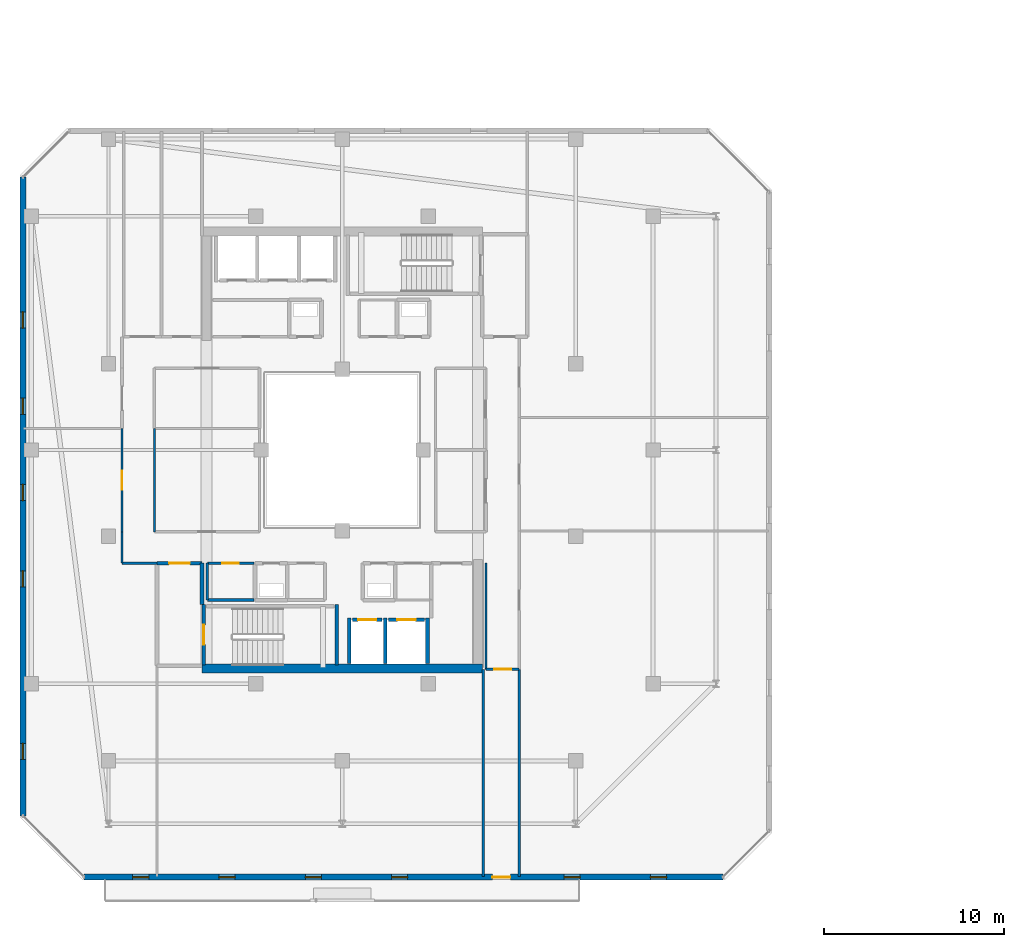
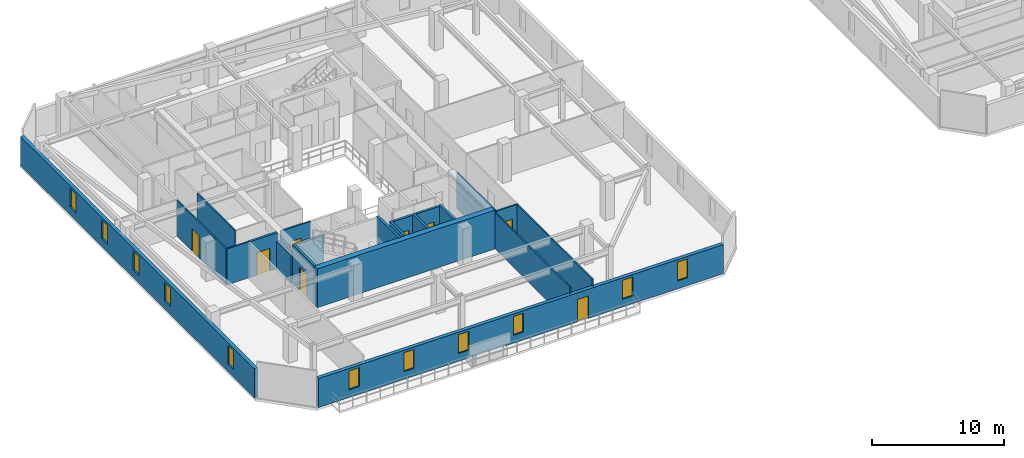
# One storey, part 21 of 35: 23 walls, 11 windows, 8 doors, 19 openings.
"""IFC4 building model written with IfcOpenShell, lengths in metres."""

from ifc_helpers import new_model, si_unit, direction, frame, frame_2d, origin, place, context, subcontext, project, spatial, rectangle, extrude, material, layer, layer_set, type_object, element, fill, save


model = new_model("IFC4")

# Units and contexts
model_context = context("Model", 3, precision=1e-05, world=origin(), true_north=direction((0.0, 1.0)))
body_context = subcontext(model_context, "Body", "Model", "MODEL_VIEW")
ifc_project = project(units=[si_unit("LENGTHUNIT", "METRE"), si_unit("AREAUNIT", "SQUARE_METRE"), si_unit("VOLUMEUNIT", "CUBIC_METRE"), si_unit("PLANEANGLEUNIT", "RADIAN"), si_unit("MASSUNIT", "GRAM", prefix="KILO")], contexts=[model_context])

# Site, building, storey
site_placement = place(None, origin())
site = spatial("IfcSite", under=ifc_project, at=site_placement, CompositionType="ELEMENT")
building_placement = place(site_placement, origin())
building = spatial("IfcBuilding", under=site, at=building_placement, Name="Thornwick Lancets Civic Towers", CompositionType="ELEMENT")
storey_placement = place(building_placement, frame((0.0, 0.0, 265.5)))
storey = spatial("IfcBuildingStorey", under=building, at=storey_placement, Name="L71", CompositionType="ELEMENT", Elevation=265.5)

# Wall, opening, door
ifc_material_1 = material(Name="Concrete blockwork C40/50", Category="masonry")
ifc_layer_1 = layer(ifc_material_1, 0.199951171875, Name="Concrete blockwork C40/50")
ifc_layer_set_1 = layer_set([ifc_layer_1], Name="Concrete blockwork C40/50")
wall_type_1 = type_object("IfcWallType", Name="WALL_COMP_200", PredefinedType="STANDARD", material=ifc_layer_set_1)
wall_1_placement = place(storey_placement, frame((26.080078125, 17.550048828125, 0.0), z_axis=(0.0, 0.0, 1.0), x_axis=(1.0, 0.0, 0.0)))
wall_1 = element("IfcWall", 1, at=wall_1_placement, inside=storey, type_object=wall_type_1, Name="L71 Hoistway Front Wall FL-A1", PredefinedType="STANDARD", context=body_context, shape_type="SweptSolid", body=[
    extrude(rectangle(XDim=1.639892578125, YDim=0.199951171875, at=frame_2d((0.81982421875, 0.0))), origin(), (0.0, 0.0, 1.0), 3.340087890625),
])
opening_1_placement = place(wall_1_placement, frame((0.31005859375, 0.0, 0.0)))
opening_1 = element("IfcOpeningElement", 2, at=opening_1_placement, cuts=wall_1, Name="Opening LD-FL-A1", PredefinedType="OPENING", context=body_context, shape_type="SweptSolid", body=[
    extrude(rectangle(XDim=1.02001953125, YDim=2.06005859375, at=frame_2d((0.510009765625, 1.030029296875))), frame((0.0, 0.10986328125, 0.0), z_axis=(0.0, -1.0, 0.0), x_axis=(1.0, 0.0, 0.0)), (0.0, 0.0, 1.0), 0.219970703125),
])
ifc_material_2 = material(Name="Brushed bronze stainless steel", Category="steel")
door_type_1 = type_object("IfcDoorType", Name="DOOR_LIFT_SLIDE", OperationType="SLIDING_TO_LEFT", PredefinedType="DOOR", material=ifc_material_2)
door_1_placement = place(opening_1_placement, origin())
door_1 = element("IfcDoor", 3, at=door_1_placement, inside=storey, type_object=door_type_1, Name="L71 Sliding Lift Landing Door LD-FL-A1", OperationType="SLIDING_TO_LEFT", OverallHeight=2.06005859375, OverallWidth=1.02001953125, PredefinedType="DOOR", context=body_context, shape_type="SweptSolid", body=[
    extrude(rectangle(XDim=1.02001953125, YDim=2.06005859375, at=frame_2d((0.510009765625, 1.030029296875))), frame((0.0, 0.02490234375, 0.0), z_axis=(0.0, -1.0, 0.0), x_axis=(1.0, 0.0, 0.0)), (0.0, 0.0, 1.0), 0.050048828125),
])
fill(opening_1, door_1)

wall_2_placement = place(storey_placement, frame((28.080078125, 17.550048828125, 0.0), z_axis=(0.0, 0.0, 1.0), x_axis=(1.0, 0.0, 0.0)))
wall_2 = element("IfcWall", 4, at=wall_2_placement, inside=storey, type_object=wall_type_1, Name="L71 Hoistway Front Wall PL-AH1", PredefinedType="STANDARD", context=body_context, shape_type="SweptSolid", body=[
    extrude(rectangle(XDim=1.989990234375, YDim=0.199951171875, at=frame_2d((0.9951171875, 0.0))), origin(), (0.0, 0.0, 1.0), 3.340087890625),
])
opening_2_placement = place(wall_2_placement, frame((0.485107421875, 0.0, 0.0)))
opening_2 = element("IfcOpeningElement", 5, at=opening_2_placement, cuts=wall_2, Name="Opening LD-PL-AH1", PredefinedType="OPENING", context=body_context, shape_type="SweptSolid", body=[
    extrude(rectangle(XDim=1.02001953125, YDim=2.06005859375, at=frame_2d((0.510009765625, 1.030029296875))), frame((0.0, 0.10986328125, 0.0), z_axis=(0.0, -1.0, 0.0), x_axis=(1.0, 0.0, 0.0)), (0.0, 0.0, 1.0), 0.219970703125),
])
door_2_placement = place(opening_2_placement, origin())
door_2 = element("IfcDoor", 6, at=door_2_placement, inside=storey, type_object=door_type_1, Name="L71 Sliding Lift Landing Door LD-PL-AH1", OperationType="SLIDING_TO_LEFT", OverallHeight=2.06005859375, OverallWidth=1.02001953125, PredefinedType="DOOR", context=body_context, shape_type="SweptSolid", body=[
    extrude(rectangle(XDim=1.02001953125, YDim=2.06005859375, at=frame_2d((0.510009765625, 1.030029296875))), frame((0.0, 0.02490234375, 0.0), z_axis=(0.0, -1.0, 0.0), x_axis=(1.0, 0.0, 0.0)), (0.0, 0.0, 1.0), 0.050048828125),
])
fill(opening_2, door_2)

# Walls
for number, where, z_axis, x_axis, name in (
    (7, (27.89990234375, 15.112060546875, 0.0), (0.0, 0.0, 1.0), (0.0, 1.0, 0.0), "L71 Hoistway Shaft Wall FL-A1 E"),
    (8, (25.89990234375, 15.112060546875, 0.0), (0.0, 0.0, 1.0), (0.0, 1.0, 0.0), "L71 Hoistway Shaft Wall FL-A1 W"),
    (9, (30.25, 15.112060546875, 0.0), (0.0, 0.0, 1.0), (0.0, 1.0, 0.0), "L71 Hoistway Shaft Wall PL-AH1 E"),
):
    element("IfcWall", number, at=place(storey_placement, frame(where, z_axis=z_axis, x_axis=x_axis)), inside=storey, type_object=wall_type_1, Name=name, PredefinedType="STANDARD", context=body_context, shape_type="SweptSolid", body=[
        extrude(rectangle(XDim=2.535888671875, YDim=0.199951171875, at=frame_2d((1.26806640625, 0.0))), origin(), (0.0, 0.0, 1.0), 3.340087890625),
    ])
wall_3_placement = place(storey_placement, frame((17.699951171875, 18.39990234375, 0.0), z_axis=(0.0, 0.0, 1.0), x_axis=(0.0, 1.0, 0.0)))
element("IfcWall", 10, at=wall_3_placement, inside=storey, type_object=wall_type_1, Name="L71 Partition L71-A-FFLOB1 E2", PredefinedType="STANDARD", context=body_context, shape_type="SweptSolid", body=[
    extrude(rectangle(XDim=2.300048828125, YDim=0.199951171875, at=frame_2d((1.14990234375, 0.0))), origin(), (0.0, 0.0, 1.0), 2.544921875),
])

# Wall, opening, door
wall_4_placement = place(storey_placement, frame((17.699951171875, 20.699951171875, 0.0), z_axis=(0.0, 0.0, 1.0), x_axis=(-1.0, 0.0, 0.0)))
wall_4 = element("IfcWall", 11, at=wall_4_placement, inside=storey, type_object=wall_type_1, Name="L71 Partition L71-A-FFLOB1 E3", PredefinedType="STANDARD", context=body_context, shape_type="SweptSolid", body=[
    extrude(rectangle(XDim=2.5, YDim=0.199951171875, at=frame_2d((1.25, 0.0))), origin(), (0.0, 0.0, 1.0), 3.340087890625),
])
opening_3_placement = place(wall_4_placement, frame((0.675048828125, 0.0, 0.0)))
opening_3 = element("IfcOpeningElement", 12, at=opening_3_placement, cuts=wall_4, Name="Opening D-L71-3225", PredefinedType="OPENING", context=body_context, shape_type="SweptSolid", body=[
    extrude(rectangle(XDim=1.14990234375, YDim=2.10009765625, at=frame_2d((0.574951171875, 1.050048828125))), frame((0.0, 0.10986328125, 0.0), z_axis=(0.0, -1.0, 0.0), x_axis=(1.0, 0.0, 0.0)), (0.0, 0.0, 1.0), 0.219970703125),
])
ifc_material_3 = material(Name="Glazed fire-resisting steel", Category="steel")
door_type_2 = type_object("IfcDoorType", Name="DOOR_LOBBY_FD60", OperationType="NOTDEFINED", PredefinedType="DOOR", material=ifc_material_3)
door_3_placement = place(opening_3_placement, origin())
door_3 = element("IfcDoor", 13, at=door_3_placement, inside=storey, type_object=door_type_2, Name="L71 South Firefighting Lobby 1 Door", OperationType="SINGLE_SWING_RIGHT", OverallHeight=2.10009765625, OverallWidth=1.14990234375, PredefinedType="DOOR", context=body_context, shape_type="SweptSolid", body=[
    extrude(rectangle(XDim=1.14990234375, YDim=2.10009765625, at=frame_2d((0.574951171875, 1.050048828125))), frame((0.0, 0.02490234375, 0.0), z_axis=(0.0, -1.0, 0.0), x_axis=(1.0, 0.0, 0.0)), (0.0, 0.0, 1.0), 0.050048828125),
])
fill(opening_3, door_3)

# Wall
ifc_material_4 = material(Name="Concrete C50/60", Category="concrete")
ifc_layer_2 = layer(ifc_material_4, 0.5, Name="Concrete C50/60")
ifc_layer_set_2 = layer_set([ifc_layer_2], Name="Concrete C50/60")
wall_type_2 = type_object("IfcWallType", Name="WALL_CORE_500", PredefinedType="SHEAR", material=ifc_layer_set_2)
wall_5_placement = place(storey_placement, frame((17.699951171875, 14.85009765625, 0.0), z_axis=(0.0, 0.0, 1.0), x_axis=(1.0, 0.0, 0.0)))
element("IfcWall", 14, at=wall_5_placement, inside=storey, type_object=wall_type_2, Name="L71 Split Core A1 Shear Wall S", PredefinedType="SHEAR", context=body_context, shape_type="SweptSolid", body=[
    extrude(rectangle(XDim=15.60009765625, YDim=0.5, at=frame_2d((7.800048828125, 0.0))), origin(), (0.0, 0.0, 1.0), 3.60009765625),
])

# Wall, openings, door, windows
ifc_material_5 = material(Name="Insulated buff terracotta rainscreen on concrete C40/50", Category="masonry")
ifc_layer_3 = layer(ifc_material_5, 0.320068359375, Name="Insulated buff terracotta rainscreen on concrete C40/50")
ifc_layer_set_3 = layer_set([ifc_layer_3], Name="Insulated buff terracotta rainscreen on concrete C40/50")
wall_type_3 = type_object("IfcWallType", Name="WALL_EXT_TERRA_320", PredefinedType="STANDARD", material=ifc_layer_set_3)
wall_6_placement = place(storey_placement, frame((11.146484375, 3.238037109375, 0.0), z_axis=(0.0, 0.0, 1.0), x_axis=(0.999999997144, -7.5574884e-05, 0.0)))
wall_6 = element("IfcWall", 15, at=wall_6_placement, inside=storey, type_object=wall_type_3, Name="L71 Tower A Terracotta Facade Wall E0", PredefinedType="STANDARD", context=body_context, shape_type="SweptSolid", body=[
    extrude(rectangle(XDim=35.534912109375, YDim=0.320068359375, at=frame_2d((17.767578125, 0.0))), origin(), (0.0, 0.0, 1.0), 2.699951171875),
])
opening_4_placement = place(wall_6_placement, frame((22.717529296875, 0.0, 0.0)))
opening_4 = element("IfcOpeningElement", 16, at=opening_4_placement, cuts=wall_6, Name="Opening D-BL-L71-AS", PredefinedType="OPENING", context=body_context, shape_type="SweptSolid", body=[
    extrude(rectangle(XDim=1.0, YDim=2.080078125, at=frame_2d((0.5, 1.0400390625))), frame((0.0, 0.169921875, 0.0), z_axis=(0.0, -1.0, 0.0), x_axis=(1.0, 0.0, 0.0)), (0.0, 0.0, 1.0), 0.340087890625),
])
opening_5_placement = place(wall_6_placement, frame((2.699951171875, 0.0, 0.719970703125)))
opening_5 = element("IfcOpeningElement", 17, at=opening_5_placement, cuts=wall_6, Name="Opening WL-01", PredefinedType="OPENING", context=body_context, shape_type="SweptSolid", body=[
    extrude(rectangle(XDim=0.89990234375, YDim=1.75, at=frame_2d((0.449951171875, 0.875))), frame((0.0, 0.169921875, 0.0), z_axis=(0.0, -1.0, 0.0), x_axis=(1.0, 0.0, 0.0)), (0.0, 0.0, 1.0), 0.340087890625),
])
opening_6_placement = place(wall_6_placement, frame((7.5, 0.0, 0.719970703125)))
opening_6 = element("IfcOpeningElement", 18, at=opening_6_placement, cuts=wall_6, Name="Opening WL-01", PredefinedType="OPENING", context=body_context, shape_type="SweptSolid", body=[
    extrude(rectangle(XDim=0.89990234375, YDim=1.75, at=frame_2d((0.449951171875, 0.875))), frame((0.0, 0.169921875, 0.0), z_axis=(0.0, -1.0, 0.0), x_axis=(1.0, 0.0, 0.0)), (0.0, 0.0, 1.0), 0.340087890625),
])
opening_7_placement = place(wall_6_placement, frame((12.300048828125, 0.0, 0.719970703125)))
opening_7 = element("IfcOpeningElement", 19, at=opening_7_placement, cuts=wall_6, Name="Opening WL-01", PredefinedType="OPENING", context=body_context, shape_type="SweptSolid", body=[
    extrude(rectangle(XDim=0.89990234375, YDim=1.75, at=frame_2d((0.449951171875, 0.875))), frame((0.0, 0.169921875, 0.0), z_axis=(0.0, -1.0, 0.0), x_axis=(1.0, 0.0, 0.0)), (0.0, 0.0, 1.0), 0.340087890625),
])
opening_8_placement = place(wall_6_placement, frame((17.10009765625, 0.0, 0.719970703125)))
opening_8 = element("IfcOpeningElement", 20, at=opening_8_placement, cuts=wall_6, Name="Opening WL-01", PredefinedType="OPENING", context=body_context, shape_type="SweptSolid", body=[
    extrude(rectangle(XDim=0.89990234375, YDim=1.75, at=frame_2d((0.449951171875, 0.875))), frame((0.0, 0.169921875, 0.0), z_axis=(0.0, -1.0, 0.0), x_axis=(1.0, 0.0, 0.0)), (0.0, 0.0, 1.0), 0.340087890625),
])
opening_9_placement = place(wall_6_placement, frame((26.699951171875, 0.0, 0.719970703125)))
opening_9 = element("IfcOpeningElement", 21, at=opening_9_placement, cuts=wall_6, Name="Opening WL-01", PredefinedType="OPENING", context=body_context, shape_type="SweptSolid", body=[
    extrude(rectangle(XDim=0.89990234375, YDim=1.75, at=frame_2d((0.449951171875, 0.875))), frame((0.0, 0.169921875, 0.0), z_axis=(0.0, -1.0, 0.0), x_axis=(1.0, 0.0, 0.0)), (0.0, 0.0, 1.0), 0.340087890625),
])
opening_10_placement = place(wall_6_placement, frame((31.5, 0.0, 0.719970703125)))
opening_10 = element("IfcOpeningElement", 22, at=opening_10_placement, cuts=wall_6, Name="Opening WL-01", PredefinedType="OPENING", context=body_context, shape_type="SweptSolid", body=[
    extrude(rectangle(XDim=0.89990234375, YDim=1.75, at=frame_2d((0.449951171875, 0.875))), frame((0.0, 0.169921875, 0.0), z_axis=(0.0, -1.0, 0.0), x_axis=(1.0, 0.0, 0.0)), (0.0, 0.0, 1.0), 0.340087890625),
])
ifc_material_6 = material(Name="Thermally broken glazed loggia doorset")
door_type_3 = type_object("IfcDoorType", Name="DOOR_BALC_1000", OperationType="NOTDEFINED", PredefinedType="DOOR", material=ifc_material_6)
door_4_placement = place(opening_4_placement, origin())
door_4 = element("IfcDoor", 23, at=door_4_placement, inside=storey, type_object=door_type_3, Name="L71 Tower A Loggia Balcony Door S", OperationType="SINGLE_SWING_RIGHT", OverallHeight=2.080078125, OverallWidth=1.0, PredefinedType="DOOR", context=body_context, shape_type="SweptSolid", body=[
    extrude(rectangle(XDim=1.0, YDim=2.080078125, at=frame_2d((0.5, 1.0400390625))), frame((0.0, 0.02490234375, 0.0), z_axis=(0.0, -1.0, 0.0), x_axis=(1.0, 0.0, 0.0)), (0.0, 0.0, 1.0), 0.050048828125),
])
fill(opening_4, door_4)
ifc_material_7 = material(Name="Clear low-e double glazing in bronze frame", Category="glass")
window_type = type_object("IfcWindowType", Name="WIN_LANCET_900", PartitioningType="SINGLE_PANEL", PredefinedType="WINDOW", material=ifc_material_7)
window_1_placement = place(opening_5_placement, origin())
window_1 = element("IfcWindow", 24, at=window_1_placement, inside=storey, type_object=window_type, Name="L71 Tower A Staggered Lancet Window E0-1", OverallHeight=1.75, OverallWidth=0.89990234375, PartitioningType="SINGLE_PANEL", PredefinedType="WINDOW", context=body_context, shape_type="SweptSolid", body=[
    extrude(rectangle(XDim=0.89990234375, YDim=1.75, at=frame_2d((0.449951171875, 0.875))), frame((0.0, 0.030029296875, 0.0), z_axis=(0.0, -1.0, 0.0), x_axis=(1.0, 0.0, 0.0)), (0.0, 0.0, 1.0), 0.06005859375),
])
fill(opening_5, window_1)
window_2_placement = place(opening_6_placement, origin())
window_2 = element("IfcWindow", 25, at=window_2_placement, inside=storey, type_object=window_type, Name="L71 Tower A Staggered Lancet Window E0-2", OverallHeight=1.75, OverallWidth=0.89990234375, PartitioningType="SINGLE_PANEL", PredefinedType="WINDOW", context=body_context, shape_type="SweptSolid", body=[
    extrude(rectangle(XDim=0.89990234375, YDim=1.75, at=frame_2d((0.449951171875, 0.875))), frame((0.0, 0.030029296875, 0.0), z_axis=(0.0, -1.0, 0.0), x_axis=(1.0, 0.0, 0.0)), (0.0, 0.0, 1.0), 0.06005859375),
])
fill(opening_6, window_2)
window_3_placement = place(opening_7_placement, origin())
window_3 = element("IfcWindow", 26, at=window_3_placement, inside=storey, type_object=window_type, Name="L71 Tower A Staggered Lancet Window E0-3", OverallHeight=1.75, OverallWidth=0.89990234375, PartitioningType="SINGLE_PANEL", PredefinedType="WINDOW", context=body_context, shape_type="SweptSolid", body=[
    extrude(rectangle(XDim=0.89990234375, YDim=1.75, at=frame_2d((0.449951171875, 0.875))), frame((0.0, 0.030029296875, 0.0), z_axis=(0.0, -1.0, 0.0), x_axis=(1.0, 0.0, 0.0)), (0.0, 0.0, 1.0), 0.06005859375),
])
fill(opening_7, window_3)
window_4_placement = place(opening_8_placement, origin())
window_4 = element("IfcWindow", 27, at=window_4_placement, inside=storey, type_object=window_type, Name="L71 Tower A Staggered Lancet Window E0-4", OverallHeight=1.75, OverallWidth=0.89990234375, PartitioningType="SINGLE_PANEL", PredefinedType="WINDOW", context=body_context, shape_type="SweptSolid", body=[
    extrude(rectangle(XDim=0.89990234375, YDim=1.75, at=frame_2d((0.449951171875, 0.875))), frame((0.0, 0.030029296875, 0.0), z_axis=(0.0, -1.0, 0.0), x_axis=(1.0, 0.0, 0.0)), (0.0, 0.0, 1.0), 0.06005859375),
])
fill(opening_8, window_4)
window_5_placement = place(opening_9_placement, origin())
window_5 = element("IfcWindow", 28, at=window_5_placement, inside=storey, type_object=window_type, Name="L71 Tower A Staggered Lancet Window E0-5", OverallHeight=1.75, OverallWidth=0.89990234375, PartitioningType="SINGLE_PANEL", PredefinedType="WINDOW", context=body_context, shape_type="SweptSolid", body=[
    extrude(rectangle(XDim=0.89990234375, YDim=1.75, at=frame_2d((0.449951171875, 0.875))), frame((0.0, 0.030029296875, 0.0), z_axis=(0.0, -1.0, 0.0), x_axis=(1.0, 0.0, 0.0)), (0.0, 0.0, 1.0), 0.06005859375),
])
fill(opening_9, window_5)
window_6_placement = place(opening_10_placement, origin())
window_6 = element("IfcWindow", 29, at=window_6_placement, inside=storey, type_object=window_type, Name="L71 Tower A Staggered Lancet Window E0-6", OverallHeight=1.75, OverallWidth=0.89990234375, PartitioningType="SINGLE_PANEL", PredefinedType="WINDOW", context=body_context, shape_type="SweptSolid", body=[
    extrude(rectangle(XDim=0.89990234375, YDim=1.75, at=frame_2d((0.449951171875, 0.875))), frame((0.0, 0.030029296875, 0.0), z_axis=(0.0, -1.0, 0.0), x_axis=(1.0, 0.0, 0.0)), (0.0, 0.0, 1.0), 0.06005859375),
])
fill(opening_10, window_6)

# Wall, openings, windows
wall_7_placement = place(storey_placement, frame((7.7353515625, 42.181396484375, 0.0), z_axis=(0.0, 0.0, 1.0), x_axis=(7.5574884e-05, -0.999999997144, 0.0)))
wall_7 = element("IfcWall", 30, at=wall_7_placement, inside=storey, type_object=wall_type_3, Name="L71 Tower A Terracotta Facade Wall E6", PredefinedType="STANDARD", context=body_context, shape_type="SweptSolid", body=[
    extrude(rectangle(XDim=35.534912109375, YDim=0.320068359375, at=frame_2d((17.767578125, 0.0))), origin(), (0.0, 0.0, 1.0), 2.699951171875),
])
opening_11_placement = place(wall_7_placement, frame((7.5, 0.0, 0.719970703125)))
opening_11 = element("IfcOpeningElement", 31, at=opening_11_placement, cuts=wall_7, Name="Opening WL-01", PredefinedType="OPENING", context=body_context, shape_type="SweptSolid", body=[
    extrude(rectangle(XDim=0.89990234375, YDim=1.75, at=frame_2d((0.449951171875, 0.875))), frame((0.0, 0.169921875, 0.0), z_axis=(0.0, -1.0, 0.0), x_axis=(1.0, 0.0, 0.0)), (0.0, 0.0, 1.0), 0.340087890625),
])
opening_12_placement = place(wall_7_placement, frame((12.300048828125, 0.0, 0.719970703125)))
opening_12 = element("IfcOpeningElement", 32, at=opening_12_placement, cuts=wall_7, Name="Opening WL-01", PredefinedType="OPENING", context=body_context, shape_type="SweptSolid", body=[
    extrude(rectangle(XDim=0.89990234375, YDim=1.75, at=frame_2d((0.449951171875, 0.875))), frame((0.0, 0.169921875, 0.0), z_axis=(0.0, -1.0, 0.0), x_axis=(1.0, 0.0, 0.0)), (0.0, 0.0, 1.0), 0.340087890625),
])
opening_13_placement = place(wall_7_placement, frame((17.10009765625, 0.0, 0.719970703125)))
opening_13 = element("IfcOpeningElement", 33, at=opening_13_placement, cuts=wall_7, Name="Opening WL-01", PredefinedType="OPENING", context=body_context, shape_type="SweptSolid", body=[
    extrude(rectangle(XDim=0.89990234375, YDim=1.75, at=frame_2d((0.449951171875, 0.875))), frame((0.0, 0.169921875, 0.0), z_axis=(0.0, -1.0, 0.0), x_axis=(1.0, 0.0, 0.0)), (0.0, 0.0, 1.0), 0.340087890625),
])
opening_14_placement = place(wall_7_placement, frame((21.89990234375, 0.0, 0.719970703125)))
opening_14 = element("IfcOpeningElement", 34, at=opening_14_placement, cuts=wall_7, Name="Opening WL-01", PredefinedType="OPENING", context=body_context, shape_type="SweptSolid", body=[
    extrude(rectangle(XDim=0.89990234375, YDim=1.75, at=frame_2d((0.449951171875, 0.875))), frame((0.0, 0.169921875, 0.0), z_axis=(0.0, -1.0, 0.0), x_axis=(1.0, 0.0, 0.0)), (0.0, 0.0, 1.0), 0.340087890625),
])
opening_15_placement = place(wall_7_placement, frame((31.5, 0.0, 0.719970703125)))
opening_15 = element("IfcOpeningElement", 35, at=opening_15_placement, cuts=wall_7, Name="Opening WL-01", PredefinedType="OPENING", context=body_context, shape_type="SweptSolid", body=[
    extrude(rectangle(XDim=0.89990234375, YDim=1.75, at=frame_2d((0.449951171875, 0.875))), frame((0.0, 0.169921875, 0.0), z_axis=(0.0, -1.0, 0.0), x_axis=(1.0, 0.0, 0.0)), (0.0, 0.0, 1.0), 0.340087890625),
])
window_7_placement = place(opening_11_placement, origin())
window_7 = element("IfcWindow", 36, at=window_7_placement, inside=storey, type_object=window_type, Name="L71 Tower A Staggered Lancet Window E6-1", OverallHeight=1.75, OverallWidth=0.89990234375, PartitioningType="SINGLE_PANEL", PredefinedType="WINDOW", context=body_context, shape_type="SweptSolid", body=[
    extrude(rectangle(XDim=0.89990234375, YDim=1.75, at=frame_2d((0.449951171875, 0.875))), frame((0.0, 0.030029296875, 0.0), z_axis=(0.0, -1.0, 0.0), x_axis=(1.0, 0.0, 0.0)), (0.0, 0.0, 1.0), 0.06005859375),
])
fill(opening_11, window_7)
window_8_placement = place(opening_12_placement, origin())
window_8 = element("IfcWindow", 37, at=window_8_placement, inside=storey, type_object=window_type, Name="L71 Tower A Staggered Lancet Window E6-2", OverallHeight=1.75, OverallWidth=0.89990234375, PartitioningType="SINGLE_PANEL", PredefinedType="WINDOW", context=body_context, shape_type="SweptSolid", body=[
    extrude(rectangle(XDim=0.89990234375, YDim=1.75, at=frame_2d((0.449951171875, 0.875))), frame((0.0, 0.030029296875, 0.0), z_axis=(0.0, -1.0, 0.0), x_axis=(1.0, 0.0, 0.0)), (0.0, 0.0, 1.0), 0.06005859375),
])
fill(opening_12, window_8)
window_9_placement = place(opening_13_placement, origin())
window_9 = element("IfcWindow", 38, at=window_9_placement, inside=storey, type_object=window_type, Name="L71 Tower A Staggered Lancet Window E6-3", OverallHeight=1.75, OverallWidth=0.89990234375, PartitioningType="SINGLE_PANEL", PredefinedType="WINDOW", context=body_context, shape_type="SweptSolid", body=[
    extrude(rectangle(XDim=0.89990234375, YDim=1.75, at=frame_2d((0.449951171875, 0.875))), frame((0.0, 0.030029296875, 0.0), z_axis=(0.0, -1.0, 0.0), x_axis=(1.0, 0.0, 0.0)), (0.0, 0.0, 1.0), 0.06005859375),
])
fill(opening_13, window_9)
window_10_placement = place(opening_14_placement, origin())
window_10 = element("IfcWindow", 39, at=window_10_placement, inside=storey, type_object=window_type, Name="L71 Tower A Staggered Lancet Window E6-4", OverallHeight=1.75, OverallWidth=0.89990234375, PartitioningType="SINGLE_PANEL", PredefinedType="WINDOW", context=body_context, shape_type="SweptSolid", body=[
    extrude(rectangle(XDim=0.89990234375, YDim=1.75, at=frame_2d((0.449951171875, 0.875))), frame((0.0, 0.030029296875, 0.0), z_axis=(0.0, -1.0, 0.0), x_axis=(1.0, 0.0, 0.0)), (0.0, 0.0, 1.0), 0.06005859375),
])
fill(opening_14, window_10)
window_11_placement = place(opening_15_placement, origin())
window_11 = element("IfcWindow", 40, at=window_11_placement, inside=storey, type_object=window_type, Name="L71 Tower A Staggered Lancet Window E6-5", OverallHeight=1.75, OverallWidth=0.89990234375, PartitioningType="SINGLE_PANEL", PredefinedType="WINDOW", context=body_context, shape_type="SweptSolid", body=[
    extrude(rectangle(XDim=0.89990234375, YDim=1.75, at=frame_2d((0.449951171875, 0.875))), frame((0.0, 0.030029296875, 0.0), z_axis=(0.0, -1.0, 0.0), x_axis=(1.0, 0.0, 0.0)), (0.0, 0.0, 1.0), 0.06005859375),
])
fill(opening_15, window_11)

# Wall
ifc_material_8 = material(Name="Acoustic gypsum board partition")
ifc_layer_4 = layer(ifc_material_8, 0.1201171875, Name="Acoustic gypsum board partition")
ifc_layer_set_4 = layer_set([ifc_layer_4], Name="Acoustic gypsum board partition")
wall_type_4 = type_object("IfcWallType", Name="WALL_PART_120", PredefinedType="PARTITIONING", material=ifc_layer_set_4)
wall_8_placement = place(storey_placement, frame((33.5, 20.699951171875, 0.0), z_axis=(0.0, 0.0, 1.0), x_axis=(0.0, -1.0, 0.0)))
element("IfcWall", 41, at=wall_8_placement, inside=storey, type_object=wall_type_4, Name="L71 Partition L71-A-RECLAIM-L E1", PredefinedType="PARTITIONING", context=body_context, shape_type="SweptSolid", body=[
    extrude(rectangle(XDim=5.89990234375, YDim=0.1201171875, at=frame_2d((2.949951171875, 0.0))), origin(), (0.0, 0.0, 1.0), 3.340087890625),
])

# Wall, opening, door
wall_9_placement = place(storey_placement, frame((33.5, 14.800048828125, 0.0), z_axis=(0.0, 0.0, 1.0), x_axis=(1.0, 0.0, 0.0)))
wall_9 = element("IfcWall", 42, at=wall_9_placement, inside=storey, type_object=wall_type_4, Name="L71 Partition L71-A-RECLAIM-L E2", PredefinedType="PARTITIONING", context=body_context, shape_type="SweptSolid", body=[
    extrude(rectangle(XDim=1.85009765625, YDim=0.1201171875, at=frame_2d((0.925048828125, 0.0))), origin(), (0.0, 0.0, 1.0), 3.340087890625),
])
opening_16_placement = place(wall_9_placement, frame((0.449951171875, 0.0, 0.0)))
opening_16 = element("IfcOpeningElement", 43, at=opening_16_placement, cuts=wall_9, Name="Opening D-L71-3249", PredefinedType="OPENING", context=body_context, shape_type="SweptSolid", body=[
    extrude(rectangle(XDim=0.949951171875, YDim=2.10009765625, at=frame_2d((0.47509765625, 1.050048828125))), frame((0.0, 0.070068359375, 0.0), z_axis=(0.0, -1.0, 0.0), x_axis=(1.0, 0.0, 0.0)), (0.0, 0.0, 1.0), 0.14013671875),
])
ifc_material_9 = material(Name="European oak acoustic doorset")
door_type_4 = type_object("IfcDoorType", Name="DOOR_OFFICE_950", OperationType="NOTDEFINED", PredefinedType="DOOR", material=ifc_material_9)
door_5_placement = place(opening_16_placement, origin())
door_5 = element("IfcDoor", 44, at=door_5_placement, inside=storey, type_object=door_type_4, Name="L71 Tower A Parliamentary Drafting Library Door", OperationType="SINGLE_SWING_RIGHT", OverallHeight=2.10009765625, OverallWidth=0.949951171875, PredefinedType="DOOR", context=body_context, shape_type="SweptSolid", body=[
    extrude(rectangle(XDim=0.949951171875, YDim=2.10009765625, at=frame_2d((0.47509765625, 1.050048828125))), frame((0.0, 0.02490234375, 0.0), z_axis=(0.0, -1.0, 0.0), x_axis=(1.0, 0.0, 0.0)), (0.0, 0.0, 1.0), 0.050048828125),
])
fill(opening_16, door_5)

# Walls
for number, where, z_axis, x_axis, name in (
    (45, (35.35009765625, 14.800048828125, 0.0), (0.0, 0.0, 1.0), (0.0, -1.0, 0.0), "L71 Partition L71-A-RECLAIM-L E3"),
    (46, (33.35009765625, 3.280029296875, 0.0), (0.0, 0.0, 1.0), (0.0, 1.0, 0.0), "L71 Partition L71-A-RECLAIM-L E5"),
):
    element("IfcWall", number, at=place(storey_placement, frame(where, z_axis=z_axis, x_axis=x_axis)), inside=storey, type_object=wall_type_4, Name=name, PredefinedType="PARTITIONING", context=body_context, shape_type="SweptSolid", body=[
        extrude(rectangle(XDim=11.52001953125, YDim=0.1201171875, at=frame_2d((5.760009765625, 0.0))), origin(), (0.0, 0.0, 1.0), 3.340087890625),
    ])

# Wall, opening, door
wall_10_placement = place(storey_placement, frame((13.25, 28.199951171875, 0.0), z_axis=(0.0, 0.0, 1.0), x_axis=(0.0, -1.0, 0.0)))
wall_10 = element("IfcWall", 47, at=wall_10_placement, inside=storey, type_object=wall_type_4, Name="L71 Partition L71-A-W1 E1", PredefinedType="PARTITIONING", context=body_context, shape_type="SweptSolid", body=[
    extrude(rectangle(XDim=5.75, YDim=0.1201171875, at=frame_2d((2.875, 0.0))), origin(), (0.0, 0.0, 1.0), 3.340087890625),
])
opening_17_placement = place(wall_10_placement, frame((2.35009765625, 0.0, 0.0)))
opening_17 = element("IfcOpeningElement", 48, at=opening_17_placement, cuts=wall_10, Name="Opening D-L71-3252", PredefinedType="OPENING", context=body_context, shape_type="SweptSolid", body=[
    extrude(rectangle(XDim=1.050048828125, YDim=2.10009765625, at=frame_2d((0.52490234375, 1.050048828125))), frame((0.0, 0.070068359375, 0.0), z_axis=(0.0, -1.0, 0.0), x_axis=(1.0, 0.0, 0.0)), (0.0, 0.0, 1.0), 0.14013671875),
])
ifc_material_10 = material(Name="Glazed European oak executive doorset")
door_type_5 = type_object("IfcDoorType", Name="DOOR_OFFICE_1050", OperationType="NOTDEFINED", PredefinedType="DOOR", material=ifc_material_10)
door_6_placement = place(opening_17_placement, origin())
door_6 = element("IfcDoor", 49, at=door_6_placement, inside=storey, type_object=door_type_5, Name="L71 Tower A Ministry Directorate Office W1 Door", OperationType="SINGLE_SWING_LEFT", OverallHeight=2.10009765625, OverallWidth=1.050048828125, PredefinedType="DOOR", context=body_context, shape_type="SweptSolid", body=[
    extrude(rectangle(XDim=1.050048828125, YDim=2.10009765625, at=frame_2d((0.52490234375, 1.050048828125))), frame((0.0, 0.02490234375, 0.0), z_axis=(0.0, -1.0, 0.0), x_axis=(1.0, 0.0, 0.0)), (0.0, 0.0, 1.0), 0.050048828125),
])
fill(opening_17, door_6)

# Walls
wall_11_placement = place(storey_placement, frame((13.25, 22.449951171875, 0.0), z_axis=(0.0, 0.0, 1.0), x_axis=(0.0, -1.0, 0.0)))
element("IfcWall", 50, at=wall_11_placement, inside=storey, type_object=wall_type_4, Name="L71 Partition L71-A-W1 E2", PredefinedType="PARTITIONING", context=body_context, shape_type="SweptSolid", body=[
    extrude(rectangle(XDim=1.75, YDim=0.1201171875, at=frame_2d((0.875, 0.0))), origin(), (0.0, 0.0, 1.0), 3.340087890625),
])
wall_12_placement = place(storey_placement, frame((13.25, 20.699951171875, 0.0), z_axis=(0.0, 0.0, 1.0), x_axis=(1.0, 0.0, 0.0)))
element("IfcWall", 51, at=wall_12_placement, inside=storey, type_object=wall_type_4, Name="L71 Partition L71-A-W1 E3", PredefinedType="PARTITIONING", context=body_context, shape_type="SweptSolid", body=[
    extrude(rectangle(XDim=1.949951171875, YDim=0.1201171875, at=frame_2d((0.97509765625, 0.0))), origin(), (0.0, 0.0, 1.0), 3.340087890625),
])
wall_13_placement = place(storey_placement, frame((15.050048828125, 22.449951171875, 0.0), z_axis=(0.0, 0.0, 1.0), x_axis=(0.0, 1.0, 0.0)))
element("IfcWall", 52, at=wall_13_placement, inside=storey, type_object=wall_type_4, Name="L71 Partition L71-A-W3 E1", PredefinedType="PARTITIONING", context=body_context, shape_type="SweptSolid", body=[
    extrude(rectangle(XDim=5.75, YDim=0.1201171875, at=frame_2d((2.875, 0.0))), origin(), (0.0, 0.0, 1.0), 3.340087890625),
])
ifc_material_11 = material(Name="Twin-stud acoustic gypsum board")
ifc_layer_5 = layer(ifc_material_11, 0.14990234375, Name="Twin-stud acoustic gypsum board")
ifc_layer_set_5 = layer_set([ifc_layer_5], Name="Twin-stud acoustic gypsum board")
wall_type_5 = type_object("IfcWallType", Name="WALL_PART_150", PredefinedType="PARTITIONING", material=ifc_layer_set_5)
wall_14_placement = place(storey_placement, frame((18.0, 18.64990234375, 0.0), z_axis=(0.0, 0.0, 1.0), x_axis=(1.0, 0.0, 0.0)))
element("IfcWall", 53, at=wall_14_placement, inside=storey, type_object=wall_type_5, Name="L71 Partition L71-A-MWC E1", PredefinedType="PARTITIONING", context=body_context, shape_type="SweptSolid", body=[
    extrude(rectangle(XDim=2.60009765625, YDim=0.14990234375, at=frame_2d((1.300048828125, 0.0))), origin(), (0.0, 0.0, 1.0), 3.340087890625),
])

# Wall, opening, door
wall_15_placement = place(storey_placement, frame((20.60009765625, 20.699951171875, 0.0), z_axis=(0.0, 0.0, 1.0), x_axis=(-1.0, 0.0, 0.0)))
wall_15 = element("IfcWall", 54, at=wall_15_placement, inside=storey, type_object=wall_type_5, Name="L71 Partition L71-A-MWC E3", PredefinedType="PARTITIONING", context=body_context, shape_type="SweptSolid", body=[
    extrude(rectangle(XDim=2.60009765625, YDim=0.14990234375, at=frame_2d((1.300048828125, 0.0))), origin(), (0.0, 0.0, 1.0), 3.340087890625),
])
opening_18_placement = place(wall_15_placement, frame((0.840087890625, 0.0, 0.0)))
opening_18 = element("IfcOpeningElement", 55, at=opening_18_placement, cuts=wall_15, Name="Opening D-L71-3231", PredefinedType="OPENING", context=body_context, shape_type="SweptSolid", body=[
    extrude(rectangle(XDim=0.919921875, YDim=2.080078125, at=frame_2d((0.4599609375, 1.0400390625))), frame((0.0, 0.0849609375, 0.0), z_axis=(0.0, -1.0, 0.0), x_axis=(1.0, 0.0, 0.0)), (0.0, 0.0, 1.0), 0.169921875),
])
ifc_material_12 = material(Name="Moisture-resistant oak doorset")
door_type_6 = type_object("IfcDoorType", Name="DOOR_WC_900", OperationType="NOTDEFINED", PredefinedType="DOOR", material=ifc_material_12)
door_7_placement = place(opening_18_placement, origin())
door_7 = element("IfcDoor", 56, at=door_7_placement, inside=storey, type_object=door_type_6, Name="L71 Tower A Male WC Door", OperationType="SINGLE_SWING_RIGHT", OverallHeight=2.080078125, OverallWidth=0.919921875, PredefinedType="DOOR", context=body_context, shape_type="SweptSolid", body=[
    extrude(rectangle(XDim=0.919921875, YDim=2.080078125, at=frame_2d((0.4599609375, 1.0400390625))), frame((0.0, 0.02490234375, 0.0), z_axis=(0.0, -1.0, 0.0), x_axis=(1.0, 0.0, 0.0)), (0.0, 0.0, 1.0), 0.050048828125),
])
fill(opening_18, door_7)

# Wall
wall_16_placement = place(storey_placement, frame((18.0, 20.699951171875, 0.0), z_axis=(0.0, 0.0, 1.0), x_axis=(0.0, -1.0, 0.0)))
element("IfcWall", 57, at=wall_16_placement, inside=storey, type_object=wall_type_5, Name="L71 Partition L71-A-MWC E4", PredefinedType="PARTITIONING", context=body_context, shape_type="SweptSolid", body=[
    extrude(rectangle(XDim=2.050048828125, YDim=0.14990234375, at=frame_2d((1.02490234375, 0.0))), origin(), (0.0, 0.0, 1.0), 2.544921875),
])

# Wall, opening, door
ifc_material_13 = material(Name="Concrete C40/50", Category="concrete")
ifc_layer_6 = layer(ifc_material_13, 0.199951171875, Name="Concrete C40/50")
ifc_layer_set_6 = layer_set([ifc_layer_6], Name="Concrete C40/50")
wall_type_6 = type_object("IfcWallType", Name="WALL_SHAFT_200", PredefinedType="SHEAR", material=ifc_layer_set_6)
wall_17_placement = place(storey_placement, frame((17.800048828125, 15.050048828125, 0.0), z_axis=(0.0, 0.0, 1.0), x_axis=(0.0, 1.0, 0.0)))
wall_17 = element("IfcWall", 58, at=wall_17_placement, inside=storey, type_object=wall_type_6, Name="L71 ST-A1 Fire Stair Core Wall NEAR", PredefinedType="SHEAR", context=body_context, shape_type="SweptSolid", body=[
    extrude(rectangle(XDim=3.349853515625, YDim=0.199951171875, at=frame_2d((1.6748046875, 0.0))), origin(), (0.0, 0.0, 1.0), 3.60009765625),
])
opening_19_placement = place(wall_17_placement, frame((1.125, 0.0, 0.0)))
opening_19 = element("IfcOpeningElement", 59, at=opening_19_placement, cuts=wall_17, Name="Opening D-ST-A1-L71", PredefinedType="OPENING", context=body_context, shape_type="SweptSolid", body=[
    extrude(rectangle(XDim=1.10009765625, YDim=2.10009765625, at=frame_2d((0.550048828125, 1.050048828125))), frame((0.0, 0.10986328125, 0.0), z_axis=(0.0, -1.0, 0.0), x_axis=(1.0, 0.0, 0.0)), (0.0, 0.0, 1.0), 0.219970703125),
])
ifc_material_14 = material(Name="Fire-resisting steel and hardwood", Category="steel")
door_type_7 = type_object("IfcDoorType", Name="DOOR_STAIR_FD60", OperationType="NOTDEFINED", PredefinedType="DOOR", material=ifc_material_14)
door_8_placement = place(opening_19_placement, origin())
door_8 = element("IfcDoor", 60, at=door_8_placement, inside=storey, type_object=door_type_7, Name="L71 ST-A1 Exit Stair Door", OperationType="SINGLE_SWING_RIGHT", OverallHeight=2.10009765625, OverallWidth=1.10009765625, PredefinedType="DOOR", context=body_context, shape_type="SweptSolid", body=[
    extrude(rectangle(XDim=1.10009765625, YDim=2.10009765625, at=frame_2d((0.550048828125, 1.050048828125))), frame((0.0, 0.02490234375, 0.0), z_axis=(0.0, -1.0, 0.0), x_axis=(1.0, 0.0, 0.0)), (0.0, 0.0, 1.0), 0.050048828125),
])
fill(opening_19, door_8)

# Wall
wall_18_placement = place(storey_placement, frame((25.199951171875, 18.39990234375, 0.0), z_axis=(0.0, 0.0, 1.0), x_axis=(0.0, -1.0, 0.0)))
element("IfcWall", 61, at=wall_18_placement, inside=storey, type_object=wall_type_6, Name="L71 ST-A1 Fire Stair Core Wall FAR", PredefinedType="SHEAR", context=body_context, shape_type="SweptSolid", body=[
    extrude(rectangle(XDim=3.349853515625, YDim=0.199951171875, at=frame_2d((1.6748046875, 0.0))), origin(), (0.0, 0.0, 1.0), 3.60009765625),
])

save(model, "model.ifc")
